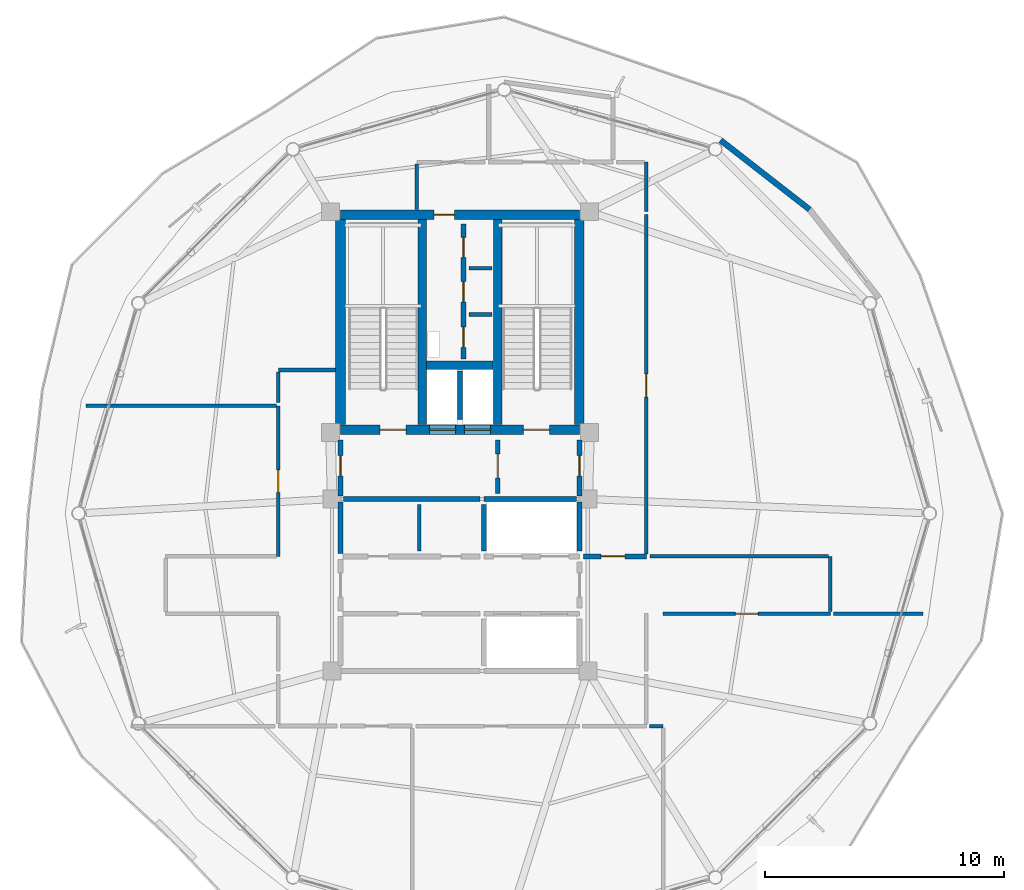
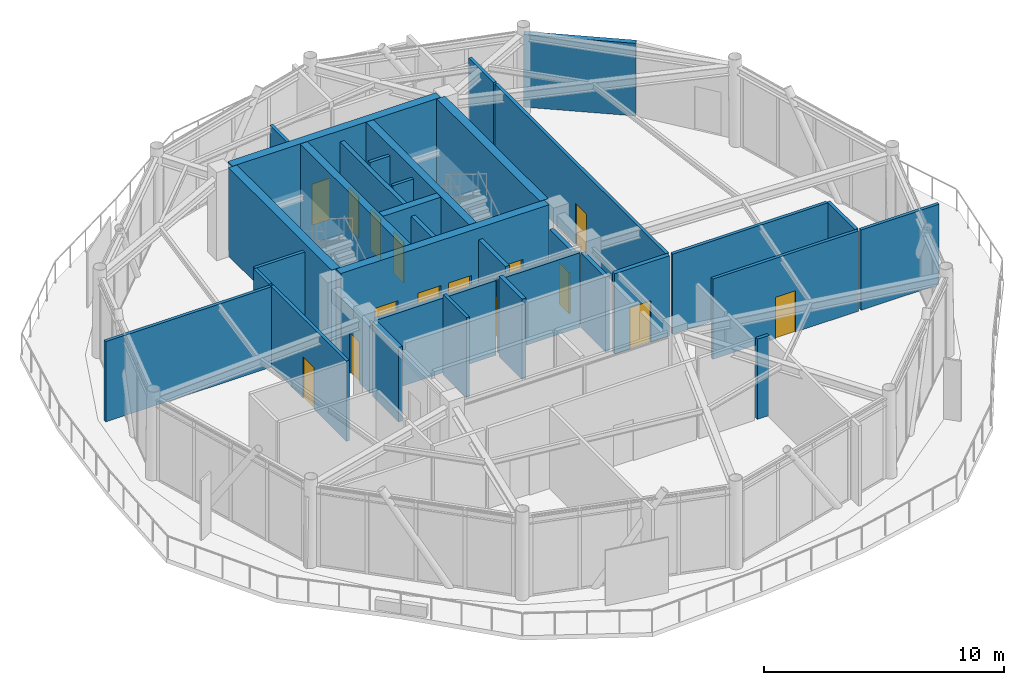
# One storey, part 19 of 24: 34 walls, 15 doors, 15 openings.
"""IFC4 building model written with IfcOpenShell, lengths in metres."""

from ifc_helpers import new_model, si_unit, direction, frame, frame_2d, origin, place, context, subcontext, project, spatial, rectangle, extrude, material, layer, layer_set, type_object, element, fill, save


model = new_model("IFC4")

# Units and contexts
model_context = context("Model", 3, precision=1e-05, world=origin(), true_north=direction((0.0, 1.0)))
body_context = subcontext(model_context, "Body", "Model", "MODEL_VIEW")
ifc_project = project(units=[si_unit("LENGTHUNIT", "METRE"), si_unit("AREAUNIT", "SQUARE_METRE"), si_unit("VOLUMEUNIT", "CUBIC_METRE"), si_unit("PLANEANGLEUNIT", "RADIAN"), si_unit("MASSUNIT", "GRAM", prefix="KILO")], contexts=[model_context])

# Site, building, storey
site_placement = place(None, origin())
site = spatial("IfcSite", under=ifc_project, at=site_placement, CompositionType="ELEMENT")
building_placement = place(site_placement, origin())
building = spatial("IfcBuilding", under=site, at=building_placement, Name="Varnakorn Sky Granary", CompositionType="ELEMENT")
storey_placement = place(building_placement, frame((0.0, 0.0, 285.0)))
storey = spatial("IfcBuildingStorey", under=building, at=storey_placement, Name="L73", CompositionType="ELEMENT", Elevation=285.0)

# Walls
ifc_material_1 = material(Name="Concrete C50/60", Category="concrete")
ifc_layer_1 = layer(ifc_material_1, 0.35009765625, Name="Concrete C50/60")
ifc_layer_set_1 = layer_set([ifc_layer_1], Name="Concrete C50/60")
wall_type_1 = type_object("IfcWallType", Name="WT-CW-INT-350", PredefinedType="SHEAR", material=ifc_layer_set_1)
for number, where, z_axis, x_axis, name in (
    (1, (1.419921875, 3.7099609375, 0.0), (0.0, 0.0, 1.0), (0.0, 1.0, 0.0), "Stair ST-1 Core Wall L73"),
    (2, (4.580078125, 3.7099609375, 0.0), (0.0, 0.0, 1.0), (0.0, 1.0, 0.0), "Stair ST-2 Core Wall L73"),
):
    element("IfcWall", number, at=place(storey_placement, frame(where, z_axis=z_axis, x_axis=x_axis)), inside=storey, type_object=wall_type_1, Name=name, PredefinedType="SHEAR", context=body_context, shape_type="SweptSolid", body=[
        extrude(rectangle(XDim=8.580078125, YDim=0.35009765625, at=frame_2d((4.2900390625, 0.0))), origin(), (0.0, 0.0, 1.0), 4.491943359375),
    ])
wall_1_placement = place(storey_placement, frame((1.610107421875, 6.199951171875, 0.0), z_axis=(0.0, 0.0, 1.0), x_axis=(1.0, 0.0, 0.0)))
element("IfcWall", 3, at=wall_1_placement, inside=storey, type_object=wall_type_1, Name="Core Lift Shaft Cross Wall L73", PredefinedType="SHEAR", context=body_context, shape_type="SweptSolid", body=[
    extrude(rectangle(XDim=2.77978515625, YDim=0.35009765625, at=frame_2d((1.389892578125, 0.0))), origin(), (0.0, 0.0, 1.0), 4.491943359375),
])

# Wall, openings, doors
ifc_layer_2 = layer(ifc_material_1, 0.39990234375, Name="Concrete C50/60")
ifc_layer_set_2 = layer_set([ifc_layer_2], Name="Concrete C50/60")
wall_type_2 = type_object("IfcWallType", Name="WT-CW-SHEAR-400", PredefinedType="SHEAR", material=ifc_layer_set_2)
wall_2_placement = place(storey_placement, frame((-2.0, 3.5, 0.0), z_axis=(0.0, 0.0, 1.0), x_axis=(1.0, 0.0, 0.0)))
wall_2 = element("IfcWall", 4, at=wall_2_placement, inside=storey, type_object=wall_type_2, Name="Core South Shear Wall L73", PredefinedType="SHEAR", context=body_context, shape_type="SweptSolid", body=[
    extrude(rectangle(XDim=10.0, YDim=0.39990234375, at=frame_2d((5.0, 0.0))), origin(), (0.0, 0.0, 1.0), 4.491943359375),
])
opening_1_placement = place(wall_2_placement, frame((1.64990234375, 0.0, 0.0)))
opening_1 = element("IfcOpeningElement", 5, at=opening_1_placement, cuts=wall_2, Name="Opening FD-90", PredefinedType="OPENING", context=body_context, shape_type="SweptSolid", body=[
    extrude(rectangle(XDim=1.10009765625, YDim=2.14990234375, at=frame_2d((0.550048828125, 1.074951171875))), frame((0.0, 0.2099609375, 0.0), z_axis=(0.0, -1.0, 0.0), x_axis=(1.0, 0.0, 0.0)), (0.0, 0.0, 1.0), 0.419921875),
])
opening_2_placement = place(wall_2_placement, frame((7.64990234375, 0.0, 0.0)))
opening_2 = element("IfcOpeningElement", 6, at=opening_2_placement, cuts=wall_2, Name="Opening FD-90", PredefinedType="OPENING", context=body_context, shape_type="SweptSolid", body=[
    extrude(rectangle(XDim=1.10009765625, YDim=2.14990234375, at=frame_2d((0.550048828125, 1.074951171875))), frame((0.0, 0.2099609375, 0.0), z_axis=(0.0, -1.0, 0.0), x_axis=(1.0, 0.0, 0.0)), (0.0, 0.0, 1.0), 0.419921875),
])
opening_3_placement = place(wall_2_placement, frame((3.719970703125, 0.0, 0.0)))
opening_3 = element("IfcOpeningElement", 7, at=opening_3_placement, cuts=wall_2, Name="Opening LD-01", PredefinedType="OPENING", context=body_context, shape_type="SweptSolid", body=[
    extrude(rectangle(XDim=1.10009765625, YDim=2.199951171875, at=frame_2d((0.550048828125, 1.10009765625))), frame((0.0, 0.2099609375, 0.0), z_axis=(0.0, -1.0, 0.0), x_axis=(1.0, 0.0, 0.0)), (0.0, 0.0, 1.0), 0.419921875),
])
opening_4_placement = place(wall_2_placement, frame((5.179931640625, 0.0, 0.0)))
opening_4 = element("IfcOpeningElement", 8, at=opening_4_placement, cuts=wall_2, Name="Opening LD-01", PredefinedType="OPENING", context=body_context, shape_type="SweptSolid", body=[
    extrude(rectangle(XDim=1.10009765625, YDim=2.199951171875, at=frame_2d((0.550048828125, 1.10009765625))), frame((0.0, 0.2099609375, 0.0), z_axis=(0.0, -1.0, 0.0), x_axis=(1.0, 0.0, 0.0)), (0.0, 0.0, 1.0), 0.419921875),
])
ifc_material_2 = material(Name="Brushed Bronze Stainless Steel", Category="steel")
door_type_1 = type_object("IfcDoorType", Name="DR-LD-1100", OperationType="DOUBLE_DOOR_SLIDING", PredefinedType="DOOR", material=ifc_material_2)
door_1_placement = place(opening_3_placement, origin())
door_1 = element("IfcDoor", 9, at=door_1_placement, inside=storey, type_object=door_type_1, Name="Firefighting Lift FFL-1 Landing Door L73", OperationType="DOUBLE_DOOR_SLIDING", OverallHeight=2.199951171875, OverallWidth=1.10009765625, PredefinedType="DOOR", context=body_context, shape_type="SweptSolid", body=[
    extrude(rectangle(XDim=1.10009765625, YDim=2.199951171875, at=frame_2d((0.550048828125, 1.10009765625))), frame((0.0, 0.02490234375, 0.0), z_axis=(0.0, -1.0, 0.0), x_axis=(1.0, 0.0, 0.0)), (0.0, 0.0, 1.0), 0.050048828125),
])
fill(opening_3, door_1)
door_2_placement = place(opening_4_placement, origin())
door_2 = element("IfcDoor", 10, at=door_2_placement, inside=storey, type_object=door_type_1, Name="Firefighting Lift FFL-2 Landing Door L73", OperationType="DOUBLE_DOOR_SLIDING", OverallHeight=2.199951171875, OverallWidth=1.10009765625, PredefinedType="DOOR", context=body_context, shape_type="SweptSolid", body=[
    extrude(rectangle(XDim=1.10009765625, YDim=2.199951171875, at=frame_2d((0.550048828125, 1.10009765625))), frame((0.0, 0.02490234375, 0.0), z_axis=(0.0, -1.0, 0.0), x_axis=(1.0, 0.0, 0.0)), (0.0, 0.0, 1.0), 0.050048828125),
])
fill(opening_4, door_2)
ifc_material_3 = material(Name="Galvanised Painted Steel Leaf", Category="steel")
door_type_2 = type_object("IfcDoorType", Name="DR-STAIR-1100", OperationType="NOTDEFINED", PredefinedType="DOOR", material=ifc_material_3)
door_3_placement = place(opening_1_placement, origin())
door_3 = element("IfcDoor", 11, at=door_3_placement, inside=storey, type_object=door_type_2, Name="Stair ST-1 Protected Fire Door L73", OperationType="SINGLE_SWING_LEFT", OverallHeight=2.14990234375, OverallWidth=1.10009765625, PredefinedType="DOOR", context=body_context, shape_type="SweptSolid", body=[
    extrude(rectangle(XDim=1.10009765625, YDim=2.14990234375, at=frame_2d((0.550048828125, 1.074951171875))), frame((0.0, 0.02490234375, 0.0), z_axis=(0.0, -1.0, 0.0), x_axis=(1.0, 0.0, 0.0)), (0.0, 0.0, 1.0), 0.050048828125),
])
fill(opening_1, door_3)
door_4_placement = place(opening_2_placement, origin())
door_4 = element("IfcDoor", 12, at=door_4_placement, inside=storey, type_object=door_type_2, Name="Stair ST-2 Protected Fire Door L73", OperationType="SINGLE_SWING_RIGHT", OverallHeight=2.14990234375, OverallWidth=1.10009765625, PredefinedType="DOOR", context=body_context, shape_type="SweptSolid", body=[
    extrude(rectangle(XDim=1.10009765625, YDim=2.14990234375, at=frame_2d((0.550048828125, 1.074951171875))), frame((0.0, 0.02490234375, 0.0), z_axis=(0.0, -1.0, 0.0), x_axis=(1.0, 0.0, 0.0)), (0.0, 0.0, 1.0), 0.050048828125),
])
fill(opening_2, door_4)

# Wall, opening, door
wall_3_placement = place(storey_placement, frame((-2.0, 12.5, 0.0), z_axis=(0.0, 0.0, 1.0), x_axis=(1.0, 0.0, 0.0)))
wall_3 = element("IfcWall", 13, at=wall_3_placement, inside=storey, type_object=wall_type_2, Name="Core North Shear Wall L73", PredefinedType="SHEAR", context=body_context, shape_type="SweptSolid", body=[
    extrude(rectangle(XDim=10.0, YDim=0.39990234375, at=frame_2d((5.0, 0.0))), origin(), (0.0, 0.0, 1.0), 4.491943359375),
])
opening_5_placement = place(wall_3_placement, frame((3.919921875, 0.0, 0.0)))
opening_5 = element("IfcOpeningElement", 14, at=opening_5_placement, cuts=wall_3, Name="Opening FD-60N", PredefinedType="OPENING", context=body_context, shape_type="SweptSolid", body=[
    extrude(rectangle(XDim=0.85009765625, YDim=2.10009765625, at=frame_2d((0.425048828125, 1.050048828125))), frame((0.0, 0.2099609375, 0.0), z_axis=(0.0, -1.0, 0.0), x_axis=(1.0, 0.0, 0.0)), (0.0, 0.0, 1.0), 0.419921875),
])
ifc_material_4 = material(Name="Acoustic Timber Fire Leaf", Category="wood")
door_type_3 = type_object("IfcDoorType", Name="DR-FD60-850", OperationType="NOTDEFINED", PredefinedType="DOOR", material=ifc_material_4)
door_5_placement = place(opening_5_placement, origin())
door_5 = element("IfcDoor", 15, at=door_5_placement, inside=storey, type_object=door_type_3, Name="Core North Service Door L73", OperationType="SINGLE_SWING_LEFT", OverallHeight=2.10009765625, OverallWidth=0.85009765625, PredefinedType="DOOR", context=body_context, shape_type="SweptSolid", body=[
    extrude(rectangle(XDim=0.85009765625, YDim=2.10009765625, at=frame_2d((0.425048828125, 1.050048828125))), frame((0.0, 0.02490234375, 0.0), z_axis=(0.0, -1.0, 0.0), x_axis=(1.0, 0.0, 0.0)), (0.0, 0.0, 1.0), 0.050048828125),
])
fill(opening_5, door_5)

# Walls
for number, where, z_axis, x_axis, name in (
    (16, (-2.0, 3.7099609375, 0.0), (0.0, 0.0, 1.0), (0.0, 1.0, 0.0), "Core West Shear Wall L73"),
    (17, (8.0, 3.7099609375, 0.0), (0.0, 0.0, 1.0), (0.0, 1.0, 0.0), "Core East Shear Wall L73"),
):
    element("IfcWall", number, at=place(storey_placement, frame(where, z_axis=z_axis, x_axis=x_axis)), inside=storey, type_object=wall_type_2, Name=name, PredefinedType="SHEAR", context=body_context, shape_type="SweptSolid", body=[
        extrude(rectangle(XDim=8.580078125, YDim=0.39990234375, at=frame_2d((4.2900390625, 0.0))), origin(), (0.0, 0.0, 1.0), 4.491943359375),
    ])
ifc_material_5 = material(Name="Precast concrete C40/50", Category="concrete")
ifc_layer_3 = layer(ifc_material_5, 0.239990234375, Name="Precast concrete C40/50")
ifc_layer_set_3 = layer_set([ifc_layer_3], Name="Precast concrete C40/50")
wall_type_3 = type_object("IfcWallType", Name="WT-EW-BAL-260", PredefinedType="SOLIDWALL", material=ifc_layer_set_3)
wall_4_placement = place(storey_placement, frame((13.906494140625, 15.613525390625, 0.0), z_axis=(0.0, 0.0, 1.0), x_axis=(0.788936565757, -0.614474649772, 0.0)))
element("IfcWall", 18, at=wall_4_placement, inside=storey, type_object=wall_type_3, Name="Balcony Return Facade Wall L73-B02B", PredefinedType="SOLIDWALL", context=body_context, shape_type="SweptSolid", body=[
    extrude(rectangle(XDim=4.714599609375, YDim=0.239990234375, at=frame_2d((2.357421875, 0.0))), origin(), (0.0, 0.0, 1.0), 3.68994140625),
])

# Wall, openings, doors
ifc_material_6 = material(Name="Autoclaved Aerated Concrete Blockwork", Category="masonry")
ifc_layer_4 = layer(ifc_material_6, 0.199951171875, Name="Autoclaved Aerated Concrete Blockwork")
ifc_layer_set_4 = layer_set([ifc_layer_4], Name="Autoclaved Aerated Concrete Blockwork")
wall_type_4 = type_object("IfcWallType", Name="WT-FIRE-200", PredefinedType="MOVABLE", material=ifc_layer_set_4)
wall_5_placement = place(storey_placement, frame((3.14990234375, 6.449951171875, 0.0), z_axis=(0.0, 0.0, 1.0), x_axis=(0.0, 1.0, 0.0)))
wall_5 = element("IfcWall", 19, at=wall_5_placement, inside=storey, type_object=wall_type_4, Name="Interior Partition Wall L73-010", PredefinedType="MOVABLE", context=body_context, shape_type="SweptSolid", body=[
    extrude(rectangle(XDim=5.650146484375, YDim=0.199951171875, at=frame_2d((2.8251953125, 0.0))), origin(), (0.0, 0.0, 1.0), 4.080078125),
])
opening_6_placement = place(wall_5_placement, frame((0.5, 0.0, 0.0)))
opening_6 = element("IfcOpeningElement", 20, at=opening_6_placement, cuts=wall_5, Name="Opening FD-60N", PredefinedType="OPENING", context=body_context, shape_type="SweptSolid", body=[
    extrude(rectangle(XDim=0.85009765625, YDim=2.10009765625, at=frame_2d((0.425048828125, 1.050048828125))), frame((0.0, 0.10986328125, 0.0), z_axis=(0.0, -1.0, 0.0), x_axis=(1.0, 0.0, 0.0)), (0.0, 0.0, 1.0), 0.219970703125),
])
opening_7_placement = place(wall_5_placement, frame((2.39990234375, 0.0, 0.0)))
opening_7 = element("IfcOpeningElement", 21, at=opening_7_placement, cuts=wall_5, Name="Opening FD-60N", PredefinedType="OPENING", context=body_context, shape_type="SweptSolid", body=[
    extrude(rectangle(XDim=0.85009765625, YDim=2.10009765625, at=frame_2d((0.425048828125, 1.050048828125))), frame((0.0, 0.10986328125, 0.0), z_axis=(0.0, -1.0, 0.0), x_axis=(1.0, 0.0, 0.0)), (0.0, 0.0, 1.0), 0.219970703125),
])
opening_8_placement = place(wall_5_placement, frame((4.25, 0.0, 0.0)))
opening_8 = element("IfcOpeningElement", 22, at=opening_8_placement, cuts=wall_5, Name="Opening FD-60N", PredefinedType="OPENING", context=body_context, shape_type="SweptSolid", body=[
    extrude(rectangle(XDim=0.85009765625, YDim=2.10009765625, at=frame_2d((0.425048828125, 1.050048828125))), frame((0.0, 0.10986328125, 0.0), z_axis=(0.0, -1.0, 0.0), x_axis=(1.0, 0.0, 0.0)), (0.0, 0.0, 1.0), 0.219970703125),
])
door_6_placement = place(opening_6_placement, origin())
door_6 = element("IfcDoor", 23, at=door_6_placement, inside=storey, type_object=door_type_3, Name="Interior Door L73-010-1", OperationType="SINGLE_SWING_LEFT", OverallHeight=2.10009765625, OverallWidth=0.85009765625, PredefinedType="DOOR", context=body_context, shape_type="SweptSolid", body=[
    extrude(rectangle(XDim=0.85009765625, YDim=2.10009765625, at=frame_2d((0.425048828125, 1.050048828125))), frame((0.0, 0.02490234375, 0.0), z_axis=(0.0, -1.0, 0.0), x_axis=(1.0, 0.0, 0.0)), (0.0, 0.0, 1.0), 0.050048828125),
])
fill(opening_6, door_6)
door_7_placement = place(opening_7_placement, origin())
door_7 = element("IfcDoor", 24, at=door_7_placement, inside=storey, type_object=door_type_3, Name="Interior Door L73-010-2", OperationType="SINGLE_SWING_RIGHT", OverallHeight=2.10009765625, OverallWidth=0.85009765625, PredefinedType="DOOR", context=body_context, shape_type="SweptSolid", body=[
    extrude(rectangle(XDim=0.85009765625, YDim=2.10009765625, at=frame_2d((0.425048828125, 1.050048828125))), frame((0.0, 0.02490234375, 0.0), z_axis=(0.0, -1.0, 0.0), x_axis=(1.0, 0.0, 0.0)), (0.0, 0.0, 1.0), 0.050048828125),
])
fill(opening_7, door_7)
door_8_placement = place(opening_8_placement, origin())
door_8 = element("IfcDoor", 25, at=door_8_placement, inside=storey, type_object=door_type_3, Name="Interior Door L73-010-3", OperationType="SINGLE_SWING_LEFT", OverallHeight=2.10009765625, OverallWidth=0.85009765625, PredefinedType="DOOR", context=body_context, shape_type="SweptSolid", body=[
    extrude(rectangle(XDim=0.85009765625, YDim=2.10009765625, at=frame_2d((0.425048828125, 1.050048828125))), frame((0.0, 0.02490234375, 0.0), z_axis=(0.0, -1.0, 0.0), x_axis=(1.0, 0.0, 0.0)), (0.0, 0.0, 1.0), 0.050048828125),
])
fill(opening_8, door_8)

# Wall, opening, door
wall_6_placement = place(storey_placement, frame((4.580078125, 0.830078125, 0.0), z_axis=(0.0, 0.0, 1.0), x_axis=(0.0, 1.0, 0.0)))
wall_6 = element("IfcWall", 26, at=wall_6_placement, inside=storey, type_object=wall_type_4, Name="Interior Partition Wall L73-011", PredefinedType="MOVABLE", context=body_context, shape_type="SweptSolid", body=[
    extrude(rectangle(XDim=2.239990234375, YDim=0.199951171875, at=frame_2d((1.1201171875, 0.0))), origin(), (0.0, 0.0, 1.0), 4.080078125),
])
opening_9_placement = place(wall_6_placement, frame((0.659912109375, 0.0, 0.0)))
opening_9 = element("IfcOpeningElement", 27, at=opening_9_placement, cuts=wall_6, Name="Opening FD-60", PredefinedType="OPENING", context=body_context, shape_type="SweptSolid", body=[
    extrude(rectangle(XDim=1.0, YDim=2.10009765625, at=frame_2d((0.5, 1.050048828125))), frame((0.0, 0.10986328125, 0.0), z_axis=(0.0, -1.0, 0.0), x_axis=(1.0, 0.0, 0.0)), (0.0, 0.0, 1.0), 0.219970703125),
])
door_type_4 = type_object("IfcDoorType", Name="DR-FD60-1000", OperationType="NOTDEFINED", PredefinedType="DOOR", material=ifc_material_4)
door_9_placement = place(opening_9_placement, origin())
door_9 = element("IfcDoor", 28, at=door_9_placement, inside=storey, type_object=door_type_4, Name="Interior Door L73-011-1", OperationType="SINGLE_SWING_RIGHT", OverallHeight=2.10009765625, OverallWidth=1.0, PredefinedType="DOOR", context=body_context, shape_type="SweptSolid", body=[
    extrude(rectangle(XDim=1.0, YDim=2.10009765625, at=frame_2d((0.5, 1.050048828125))), frame((0.0, 0.02490234375, 0.0), z_axis=(0.0, -1.0, 0.0), x_axis=(1.0, 0.0, 0.0)), (0.0, 0.0, 1.0), 0.050048828125),
])
fill(opening_9, door_9)

wall_7_placement = place(storey_placement, frame((-2.0, 0.719970703125, 0.0), z_axis=(0.0, 0.0, 1.0), x_axis=(0.0, 1.0, 0.0)))
wall_7 = element("IfcWall", 29, at=wall_7_placement, inside=storey, type_object=wall_type_4, Name="Interior Partition Wall L73-012", PredefinedType="MOVABLE", context=body_context, shape_type="SweptSolid", body=[
    extrude(rectangle(XDim=2.35009765625, YDim=0.199951171875, at=frame_2d((1.175048828125, 0.0))), origin(), (0.0, 0.0, 1.0), 3.412109375),
])
opening_10_placement = place(wall_7_placement, frame((0.844970703125, 0.0, 0.0)))
opening_10 = element("IfcOpeningElement", 30, at=opening_10_placement, cuts=wall_7, Name="Opening FD-60N", PredefinedType="OPENING", context=body_context, shape_type="SweptSolid", body=[
    extrude(rectangle(XDim=0.85009765625, YDim=2.10009765625, at=frame_2d((0.425048828125, 1.050048828125))), frame((0.0, 0.10986328125, 0.0), z_axis=(0.0, -1.0, 0.0), x_axis=(1.0, 0.0, 0.0)), (0.0, 0.0, 1.0), 0.219970703125),
])
door_10_placement = place(opening_10_placement, origin())
door_10 = element("IfcDoor", 31, at=door_10_placement, inside=storey, type_object=door_type_3, Name="Interior Door L73-012-1", OperationType="SINGLE_SWING_LEFT", OverallHeight=2.10009765625, OverallWidth=0.85009765625, PredefinedType="DOOR", context=body_context, shape_type="SweptSolid", body=[
    extrude(rectangle(XDim=0.85009765625, YDim=2.10009765625, at=frame_2d((0.425048828125, 1.050048828125))), frame((0.0, 0.02490234375, 0.0), z_axis=(0.0, -1.0, 0.0), x_axis=(1.0, 0.0, 0.0)), (0.0, 0.0, 1.0), 0.050048828125),
])
fill(opening_10, door_10)

wall_8_placement = place(storey_placement, frame((8.0, 0.719970703125, 0.0), z_axis=(0.0, 0.0, 1.0), x_axis=(0.0, 1.0, 0.0)))
wall_8 = element("IfcWall", 32, at=wall_8_placement, inside=storey, type_object=wall_type_4, Name="Interior Partition Wall L73-013", PredefinedType="MOVABLE", context=body_context, shape_type="SweptSolid", body=[
    extrude(rectangle(XDim=2.35009765625, YDim=0.199951171875, at=frame_2d((1.175048828125, 0.0))), origin(), (0.0, 0.0, 1.0), 3.412109375),
])
opening_11_placement = place(wall_8_placement, frame((0.844970703125, 0.0, 0.0)))
opening_11 = element("IfcOpeningElement", 33, at=opening_11_placement, cuts=wall_8, Name="Opening FD-60N", PredefinedType="OPENING", context=body_context, shape_type="SweptSolid", body=[
    extrude(rectangle(XDim=0.85009765625, YDim=2.10009765625, at=frame_2d((0.425048828125, 1.050048828125))), frame((0.0, 0.10986328125, 0.0), z_axis=(0.0, -1.0, 0.0), x_axis=(1.0, 0.0, 0.0)), (0.0, 0.0, 1.0), 0.219970703125),
])
door_11_placement = place(opening_11_placement, origin())
door_11 = element("IfcDoor", 34, at=door_11_placement, inside=storey, type_object=door_type_3, Name="Interior Door L73-013-1", OperationType="SINGLE_SWING_RIGHT", OverallHeight=2.10009765625, OverallWidth=0.85009765625, PredefinedType="DOOR", context=body_context, shape_type="SweptSolid", body=[
    extrude(rectangle(XDim=0.85009765625, YDim=2.10009765625, at=frame_2d((0.425048828125, 1.050048828125))), frame((0.0, 0.02490234375, 0.0), z_axis=(0.0, -1.0, 0.0), x_axis=(1.0, 0.0, 0.0)), (0.0, 0.0, 1.0), 0.050048828125),
])
fill(opening_11, door_11)

wall_9_placement = place(storey_placement, frame((8.159912109375, -1.800048828125, 0.0), z_axis=(0.0, 0.0, 1.0), x_axis=(1.0, 0.0, 0.0)))
wall_9 = element("IfcWall", 35, at=wall_9_placement, inside=storey, type_object=wall_type_4, Name="Interior Partition Wall L73-018", PredefinedType="MOVABLE", context=body_context, shape_type="SweptSolid", body=[
    extrude(rectangle(XDim=2.64013671875, YDim=0.199951171875, at=frame_2d((1.320068359375, 0.0))), origin(), (0.0, 0.0, 1.0), 4.080078125),
])
opening_12_placement = place(wall_9_placement, frame((0.739990234375, 0.0, 0.0)))
opening_12 = element("IfcOpeningElement", 36, at=opening_12_placement, cuts=wall_9, Name="Opening FD-60", PredefinedType="OPENING", context=body_context, shape_type="SweptSolid", body=[
    extrude(rectangle(XDim=1.0, YDim=2.10009765625, at=frame_2d((0.5, 1.050048828125))), frame((0.0, 0.10986328125, 0.0), z_axis=(0.0, -1.0, 0.0), x_axis=(1.0, 0.0, 0.0)), (0.0, 0.0, 1.0), 0.219970703125),
])
door_12_placement = place(opening_12_placement, origin())
door_12 = element("IfcDoor", 37, at=door_12_placement, inside=storey, type_object=door_type_4, Name="Interior Door L73-018-1", OperationType="SINGLE_SWING_RIGHT", OverallHeight=2.10009765625, OverallWidth=1.0, PredefinedType="DOOR", context=body_context, shape_type="SweptSolid", body=[
    extrude(rectangle(XDim=1.0, YDim=2.10009765625, at=frame_2d((0.5, 1.050048828125))), frame((0.0, 0.02490234375, 0.0), z_axis=(0.0, -1.0, 0.0), x_axis=(1.0, 0.0, 0.0)), (0.0, 0.0, 1.0), 0.050048828125),
])
fill(opening_12, door_12)

# Walls
wall_10_placement = place(storey_placement, frame((-1.8798828125, 0.60009765625, 0.0), z_axis=(0.0, 0.0, 1.0), x_axis=(1.0, 0.0, 0.0)))
element("IfcWall", 38, at=wall_10_placement, inside=storey, type_object=wall_type_4, Name="Interior Partition Wall L73-028", PredefinedType="MOVABLE", context=body_context, shape_type="SweptSolid", body=[
    extrude(rectangle(XDim=5.719970703125, YDim=0.199951171875, at=frame_2d((2.85986328125, 0.0))), origin(), (0.0, 0.0, 1.0), 3.7919921875),
])
wall_11_placement = place(storey_placement, frame((-2.0, -1.679931640625, 0.0), z_axis=(0.0, 0.0, 1.0), x_axis=(0.0, 1.0, 0.0)))
element("IfcWall", 39, at=wall_11_placement, inside=storey, type_object=wall_type_4, Name="Interior Partition Wall L73-030", PredefinedType="MOVABLE", context=body_context, shape_type="SweptSolid", body=[
    extrude(rectangle(XDim=2.159912109375, YDim=0.199951171875, at=frame_2d((1.080078125, 0.0))), origin(), (0.0, 0.0, 1.0), 3.7919921875),
])

# Wall, opening, door
ifc_material_7 = material(Name="Gypsum Plasterboard on Steel Stud", Category="steel")
ifc_layer_5 = layer(ifc_material_7, 0.14990234375, Name="Gypsum Plasterboard on Steel Stud")
ifc_layer_set_5 = layer_set([ifc_layer_5], Name="Gypsum Plasterboard on Steel Stud")
wall_type_5 = type_object("IfcWallType", Name="WT-PART-150", PredefinedType="PARTITIONING", material=ifc_layer_set_5)
wall_12_placement = place(storey_placement, frame((11.5, -4.199951171875, 0.0), z_axis=(0.0, 0.0, 1.0), x_axis=(1.0, 0.0, 0.0)))
wall_12 = element("IfcWall", 40, at=wall_12_placement, inside=storey, type_object=wall_type_5, Name="Interior Partition Wall L73-022", PredefinedType="PARTITIONING", context=body_context, shape_type="SweptSolid", body=[
    extrude(rectangle(XDim=7.0, YDim=0.14990234375, at=frame_2d((3.5, 0.0))), origin(), (0.0, 0.0, 1.0), 4.080078125),
])
opening_13_placement = place(wall_12_placement, frame((3.02490234375, 0.0, 0.0)))
opening_13 = element("IfcOpeningElement", 41, at=opening_13_placement, cuts=wall_12, Name="Opening ID-95", PredefinedType="OPENING", context=body_context, shape_type="SweptSolid", body=[
    extrude(rectangle(XDim=0.949951171875, YDim=2.10009765625, at=frame_2d((0.47509765625, 1.050048828125))), frame((0.0, 0.0849609375, 0.0), z_axis=(0.0, -1.0, 0.0), x_axis=(1.0, 0.0, 0.0)), (0.0, 0.0, 1.0), 0.169921875),
])
ifc_material_8 = material(Name="Solid-Core Teak Veneer Leaf", Category="timber")
door_type_5 = type_object("IfcDoorType", Name="DR-INT-950", OperationType="NOTDEFINED", PredefinedType="DOOR", material=ifc_material_8)
door_13_placement = place(opening_13_placement, origin())
door_13 = element("IfcDoor", 42, at=door_13_placement, inside=storey, type_object=door_type_5, Name="Interior Door L73-022-1", OperationType="SINGLE_SWING_RIGHT", OverallHeight=2.10009765625, OverallWidth=0.949951171875, PredefinedType="DOOR", context=body_context, shape_type="SweptSolid", body=[
    extrude(rectangle(XDim=0.949951171875, YDim=2.10009765625, at=frame_2d((0.47509765625, 1.050048828125))), frame((0.0, 0.02490234375, 0.0), z_axis=(0.0, -1.0, 0.0), x_axis=(1.0, 0.0, 0.0)), (0.0, 0.0, 1.0), 0.050048828125),
])
fill(opening_13, door_13)

wall_13_placement = place(storey_placement, frame((-4.60009765625, 4.5, 0.0), z_axis=(0.0, 0.0, 1.0), x_axis=(0.0, -1.0, 0.0)))
wall_13 = element("IfcWall", 43, at=wall_13_placement, inside=storey, type_object=wall_type_5, Name="Interior Partition Wall L73-023", PredefinedType="PARTITIONING", context=body_context, shape_type="SweptSolid", body=[
    extrude(rectangle(XDim=6.300048828125, YDim=0.14990234375, at=frame_2d((3.14990234375, 0.0))), origin(), (0.0, 0.0, 1.0), 4.080078125),
])
opening_14_placement = place(wall_13_placement, frame((2.675048828125, 0.0, 0.0)))
opening_14 = element("IfcOpeningElement", 44, at=opening_14_placement, cuts=wall_13, Name="Opening ID-95", PredefinedType="OPENING", context=body_context, shape_type="SweptSolid", body=[
    extrude(rectangle(XDim=0.949951171875, YDim=2.10009765625, at=frame_2d((0.47509765625, 1.050048828125))), frame((0.0, 0.0849609375, 0.0), z_axis=(0.0, -1.0, 0.0), x_axis=(1.0, 0.0, 0.0)), (0.0, 0.0, 1.0), 0.169921875),
])
door_14_placement = place(opening_14_placement, origin())
door_14 = element("IfcDoor", 45, at=door_14_placement, inside=storey, type_object=door_type_5, Name="Interior Door L73-023-1", OperationType="SINGLE_SWING_LEFT", OverallHeight=2.10009765625, OverallWidth=0.949951171875, PredefinedType="DOOR", context=body_context, shape_type="SweptSolid", body=[
    extrude(rectangle(XDim=0.949951171875, YDim=2.10009765625, at=frame_2d((0.47509765625, 1.050048828125))), frame((0.0, 0.02490234375, 0.0), z_axis=(0.0, -1.0, 0.0), x_axis=(1.0, 0.0, 0.0)), (0.0, 0.0, 1.0), 0.050048828125),
])
fill(opening_14, door_14)

wall_14_placement = place(storey_placement, frame((10.800048828125, -1.68994140625, 0.0), z_axis=(0.0, 0.0, 1.0), x_axis=(0.0, 1.0, 0.0)))
wall_14 = element("IfcWall", 46, at=wall_14_placement, inside=storey, type_object=wall_type_5, Name="Interior Partition Wall L73-025", PredefinedType="PARTITIONING", context=body_context, shape_type="SweptSolid", body=[
    extrude(rectangle(XDim=14.18994140625, YDim=0.14990234375, at=frame_2d((7.094970703125, 0.0))), origin(), (0.0, 0.0, 1.0), 4.080078125),
])
opening_15_placement = place(wall_14_placement, frame((6.56494140625, 0.0, 0.0)))
opening_15 = element("IfcOpeningElement", 47, at=opening_15_placement, cuts=wall_14, Name="Opening ID-95", PredefinedType="OPENING", context=body_context, shape_type="SweptSolid", body=[
    extrude(rectangle(XDim=0.949951171875, YDim=2.10009765625, at=frame_2d((0.47509765625, 1.050048828125))), frame((0.0, 0.0849609375, 0.0), z_axis=(0.0, -1.0, 0.0), x_axis=(1.0, 0.0, 0.0)), (0.0, 0.0, 1.0), 0.169921875),
])
door_15_placement = place(opening_15_placement, origin())
door_15 = element("IfcDoor", 48, at=door_15_placement, inside=storey, type_object=door_type_5, Name="Interior Door L73-025-1", OperationType="SINGLE_SWING_LEFT", OverallHeight=2.10009765625, OverallWidth=0.949951171875, PredefinedType="DOOR", context=body_context, shape_type="SweptSolid", body=[
    extrude(rectangle(XDim=0.949951171875, YDim=2.10009765625, at=frame_2d((0.47509765625, 1.050048828125))), frame((0.0, 0.02490234375, 0.0), z_axis=(0.0, -1.0, 0.0), x_axis=(1.0, 0.0, 0.0)), (0.0, 0.0, 1.0), 0.050048828125),
])
fill(opening_15, door_15)

# Walls
for number, where, z_axis, x_axis, name in (
    (49, (3.3701171875, 8.320068359375, 0.0), (0.0, 0.0, 1.0), (1.0, 0.0, 0.0), "Interior Partition Wall L73-026"),
    (50, (3.3701171875, 10.260009765625, 0.0), (0.0, 0.0, 1.0), (1.0, 0.0, 0.0), "Interior Partition Wall L73-027"),
):
    element("IfcWall", number, at=place(storey_placement, frame(where, z_axis=z_axis, x_axis=x_axis)), inside=storey, type_object=wall_type_5, Name=name, PredefinedType="PARTITIONING", context=body_context, shape_type="SweptSolid", body=[
        extrude(rectangle(XDim=0.97998046875, YDim=0.14990234375, at=frame_2d((0.489990234375, 0.0))), origin(), (0.0, 0.0, 1.0), 4.080078125),
    ])
wall_15_placement = place(storey_placement, frame((1.300048828125, -1.570068359375, 0.0), z_axis=(0.0, 0.0, 1.0), x_axis=(0.0, 1.0, 0.0)))
element("IfcWall", 51, at=wall_15_placement, inside=storey, type_object=wall_type_5, Name="Interior Partition Wall L73-029", PredefinedType="PARTITIONING", context=body_context, shape_type="SweptSolid", body=[
    extrude(rectangle(XDim=1.940185546875, YDim=0.14990234375, at=frame_2d((0.97021484375, 0.0))), origin(), (0.0, 0.0, 1.0), 4.080078125),
])
wall_16_placement = place(storey_placement, frame((10.93505859375, -8.89990234375, 0.0), z_axis=(0.0, 0.0, 1.0), x_axis=(1.0, 0.0, 0.0)))
element("IfcWall", 52, at=wall_16_placement, inside=storey, type_object=wall_type_5, Name="Interior Partition Wall L73-038", PredefinedType="PARTITIONING", context=body_context, shape_type="SweptSolid", body=[
    extrude(rectangle(XDim=0.56494140625, YDim=0.14990234375, at=frame_2d((0.282470703125, 0.0))), origin(), (0.0, 0.0, 1.0), 4.080078125),
])
wall_17_placement = place(storey_placement, frame((18.635009765625, -4.199951171875, 0.0), z_axis=(0.0, 0.0, 1.0), x_axis=(1.0, 0.0, 0.0)))
element("IfcWall", 53, at=wall_17_placement, inside=storey, type_object=wall_type_5, Name="Interior Partition Wall L73-042", PredefinedType="PARTITIONING", context=body_context, shape_type="SweptSolid", body=[
    extrude(rectangle(XDim=3.7470703125, YDim=0.14990234375, at=frame_2d((1.87353515625, 0.0))), origin(), (0.0, 0.0, 1.0), 4.080078125),
])
wall_18_placement = place(storey_placement, frame((-12.638916015625, 4.5, 0.0), z_axis=(0.0, 0.0, 1.0), x_axis=(1.0, 0.0, 0.0)))
element("IfcWall", 54, at=wall_18_placement, inside=storey, type_object=wall_type_5, Name="Interior Partition Wall L73-048", PredefinedType="PARTITIONING", context=body_context, shape_type="SweptSolid", body=[
    extrude(rectangle(XDim=7.953857421875, YDim=0.14990234375, at=frame_2d((3.97705078125, 0.0))), origin(), (0.0, 0.0, 1.0), 4.080078125),
])
wall_19_placement = place(storey_placement, frame((1.199951171875, 14.614990234375, 0.0), z_axis=(0.0, 0.0, 1.0), x_axis=(0.0, -1.0, 0.0)))
element("IfcWall", 55, at=wall_19_placement, inside=storey, type_object=wall_type_5, Name="Interior Partition Wall L73-049", PredefinedType="PARTITIONING", context=body_context, shape_type="SweptSolid", body=[
    extrude(rectangle(XDim=1.905029296875, YDim=0.14990234375, at=frame_2d((0.95263671875, 0.0))), origin(), (0.0, 0.0, 1.0), 4.080078125),
])
wall_20_placement = place(storey_placement, frame((-2.2099609375, 6.0, 0.0), z_axis=(0.0, 0.0, 1.0), x_axis=(-1.0, 0.0, 0.0)))
element("IfcWall", 56, at=wall_20_placement, inside=storey, type_object=wall_type_5, Name="Interior Partition Wall L73-050", PredefinedType="PARTITIONING", context=body_context, shape_type="SweptSolid", body=[
    extrude(rectangle(XDim=2.39013671875, YDim=0.14990234375, at=frame_2d((1.195068359375, 0.0))), origin(), (0.0, 0.0, 1.0), 4.080078125),
])
wall_21_placement = place(storey_placement, frame((-4.60009765625, 5.9150390625, 0.0), z_axis=(0.0, 0.0, 1.0), x_axis=(0.0, -1.0, 0.0)))
element("IfcWall", 57, at=wall_21_placement, inside=storey, type_object=wall_type_5, Name="Interior Partition Wall L73-051", PredefinedType="PARTITIONING", context=body_context, shape_type="SweptSolid", body=[
    extrude(rectangle(XDim=1.280029296875, YDim=0.14990234375, at=frame_2d((0.64013671875, 0.0))), origin(), (0.0, 0.0, 1.0), 4.080078125),
])
wall_22_placement = place(storey_placement, frame((10.800048828125, 12.635009765625, 0.0), z_axis=(0.0, 0.0, 1.0), x_axis=(0.0, 1.0, 0.0)))
element("IfcWall", 58, at=wall_22_placement, inside=storey, type_object=wall_type_5, Name="Interior Partition Wall L73-053", PredefinedType="PARTITIONING", context=body_context, shape_type="SweptSolid", body=[
    extrude(rectangle(XDim=2.06494140625, YDim=0.14990234375, at=frame_2d((1.032470703125, 0.0))), origin(), (0.0, 0.0, 1.0), 4.080078125),
])
wall_23_placement = place(storey_placement, frame((18.5, -4.114990234375, 0.0), z_axis=(0.0, 0.0, 1.0), x_axis=(0.0, 1.0, 0.0)))
element("IfcWall", 59, at=wall_23_placement, inside=storey, type_object=wall_type_5, Name="Interior Partition Wall L73-055", PredefinedType="PARTITIONING", context=body_context, shape_type="SweptSolid", body=[
    extrude(rectangle(XDim=2.31494140625, YDim=0.14990234375, at=frame_2d((1.157470703125, 0.0))), origin(), (0.0, 0.0, 1.0), 4.080078125),
])
wall_24_placement = place(storey_placement, frame((18.4150390625, -1.800048828125, 0.0), z_axis=(0.0, 0.0, 1.0), x_axis=(-1.0, 0.0, 0.0)))
element("IfcWall", 60, at=wall_24_placement, inside=storey, type_object=wall_type_5, Name="Interior Partition Wall L73-056", PredefinedType="PARTITIONING", context=body_context, shape_type="SweptSolid", body=[
    extrude(rectangle(XDim=7.455078125, YDim=0.14990234375, at=frame_2d((3.7275390625, 0.0))), origin(), (0.0, 0.0, 1.0), 4.080078125),
])
ifc_layer_6 = layer(ifc_material_6, 0.199951171875, Name="Autoclaved Aerated Concrete Blockwork")
ifc_layer_set_6 = layer_set([ifc_layer_6], Name="Autoclaved Aerated Concrete Blockwork")
wall_type_6 = type_object("IfcWallType", Name="WT-SHAFT-200", PredefinedType="SOLIDWALL", material=ifc_layer_set_6)
wall_25_placement = place(storey_placement, frame((3.0, 3.919921875, 0.0), z_axis=(0.0, 0.0, 1.0), x_axis=(0.0, 1.0, 0.0)))
element("IfcWall", 61, at=wall_25_placement, inside=storey, type_object=wall_type_6, Name="Interior Partition Wall L73-001", PredefinedType="SOLIDWALL", context=body_context, shape_type="SweptSolid", body=[
    extrude(rectangle(XDim=2.030029296875, YDim=0.199951171875, at=frame_2d((1.01513671875, 0.0))), origin(), (0.0, 0.0, 1.0), 4.080078125),
])
wall_26_placement = place(storey_placement, frame((4.0, 0.60009765625, 0.0), z_axis=(0.0, 0.0, 1.0), x_axis=(1.0, 0.0, 0.0)))
element("IfcWall", 62, at=wall_26_placement, inside=storey, type_object=wall_type_6, Name="Interior Partition Wall L73-002", PredefinedType="SOLIDWALL", context=body_context, shape_type="SweptSolid", body=[
    extrude(rectangle(XDim=3.8798828125, YDim=0.199951171875, at=frame_2d((1.93994140625, 0.0))), origin(), (0.0, 0.0, 1.0), 3.7919921875),
])
wall_27_placement = place(storey_placement, frame((4.0, -1.570068359375, 0.0), z_axis=(0.0, 0.0, 1.0), x_axis=(0.0, 1.0, 0.0)))
element("IfcWall", 63, at=wall_27_placement, inside=storey, type_object=wall_type_6, Name="Interior Partition Wall L73-004", PredefinedType="SOLIDWALL", context=body_context, shape_type="SweptSolid", body=[
    extrude(rectangle(XDim=1.940185546875, YDim=0.199951171875, at=frame_2d((0.97021484375, 0.0))), origin(), (0.0, 0.0, 1.0), 4.080078125),
])
wall_28_placement = place(storey_placement, frame((8.0, -1.570068359375, 0.0), z_axis=(0.0, 0.0, 1.0), x_axis=(0.0, 1.0, 0.0)))
element("IfcWall", 64, at=wall_28_placement, inside=storey, type_object=wall_type_6, Name="Interior Partition Wall L73-005", PredefinedType="SOLIDWALL", context=body_context, shape_type="SweptSolid", body=[
    extrude(rectangle(XDim=2.050048828125, YDim=0.199951171875, at=frame_2d((1.02490234375, 0.0))), origin(), (0.0, 0.0, 1.0), 3.7919921875),
])

save(model, "model.ifc")
